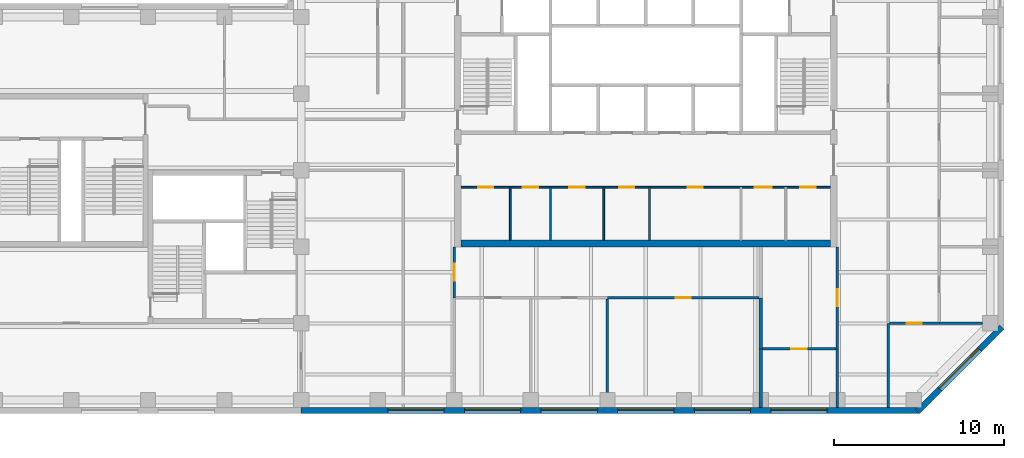
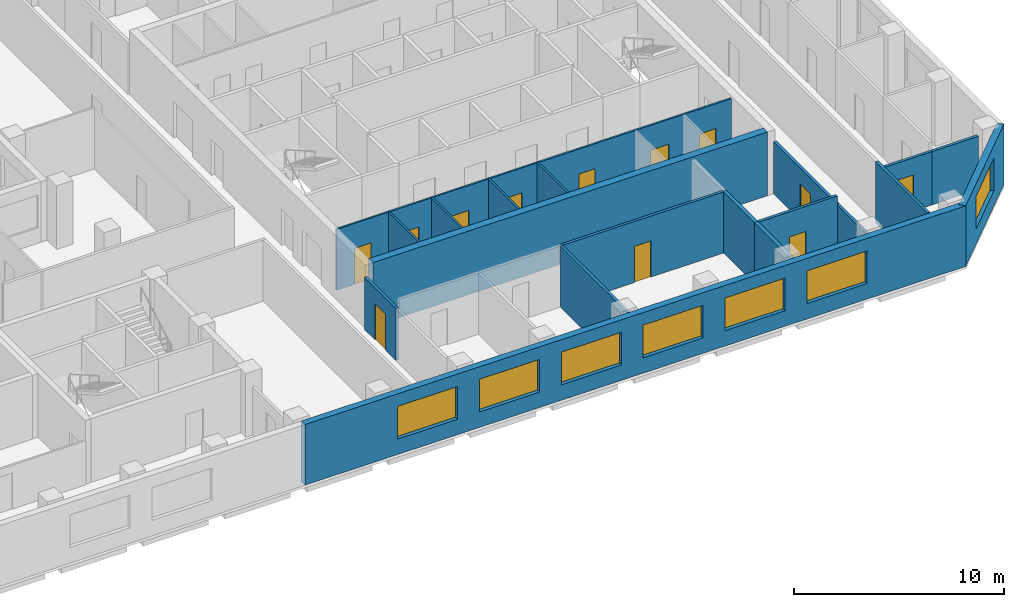
# One storey, part 4 of 9: 19 walls, 12 doors, 7 windows, 19 openings.
"""IFC4 building model written with IfcOpenShell, lengths in metres."""

import ifcopenshell
import ifcopenshell.guid

model = None  # the IFC model being written
_history = None  # IfcOwnerHistory: only IFC2X3 demands one
_inside = {}  # id of a spatial element -> (the spatial element, [elements in it])
_under = {}  # id of a project, library or spatial element -> (it, [spatial elements below it])
_declared = {}  # id of a project -> (the project, [libraries it declares])
_typed = {}  # id of a type object -> (the type object, [elements of that type])
_made_of = {}  # id of a material, layer set ... -> (it, [elements and type objects made of it])


def new_model(schema):
    """Start an empty IFC model of exactly this schema.

    Asked for "IFC4X3", IfcOpenShell would pick the latest addendum, in which some entities
    have other attributes; the version numbers below select the first issue.
    IFC2X3 requires an IfcOwnerHistory on every rooted entity: one is made here for all.
    """
    global model, _history
    if schema == "IFC4X3":
        model = ifcopenshell.file(schema_version=(4, 3, 0, 0))
    else:
        model = ifcopenshell.file(schema=schema)
    _inside.clear()
    _under.clear()
    _declared.clear()
    _typed.clear()
    _made_of.clear()
    _history = None
    if model.schema == "IFC2X3":
        org = make("IfcOrganization", Name="unknown")
        user = make(
            "IfcPersonAndOrganization",
            ThePerson=make("IfcPerson", FamilyName="unknown"),
            TheOrganization=org,
        )
        app = make(
            "IfcApplication",
            ApplicationDeveloper=org,
            Version="unknown",
            ApplicationFullName="unknown",
            ApplicationIdentifier="unknown",
        )
        _history = make(
            "IfcOwnerHistory",
            OwningUser=user,
            OwningApplication=app,
            ChangeAction="ADDED",
            CreationDate=0,
        )
    return model


def make(cls, **values):
    """One entity of the class cls with the attributes given. An attribute that is None is left unset."""
    return model.create_entity(
        cls, **{name: value for name, value in values.items() if value is not None}
    )


def rooted(cls, **values):
    """An entity with a GlobalId (a new one), such as an element, a storey or a relation."""
    return make(cls, GlobalId=ifcopenshell.guid.new(), OwnerHistory=_history, **values)


def si_unit(unit_type, name, prefix=None):
    """IfcSIUnit, for example si_unit("LENGTHUNIT", "METRE", prefix="MILLI")."""
    return make("IfcSIUnit", UnitType=unit_type, Prefix=prefix, Name=name)


def assignment(units):
    """IfcUnitAssignment: the units of a project."""
    return None if units is None else make("IfcUnitAssignment", Units=units)


def point(xyz):
    """IfcCartesianPoint."""
    return None if xyz is None else make("IfcCartesianPoint", Coordinates=xyz)


def direction(xyz):
    """IfcDirection."""
    return None if xyz is None else make("IfcDirection", DirectionRatios=xyz)


def frame(location, z_axis=None, x_axis=None):
    """IfcAxis2Placement3D, a coordinate frame: its origin and axes. An axis left out is left unset."""
    return make(
        "IfcAxis2Placement3D",
        Location=point(location),
        Axis=direction(z_axis),
        RefDirection=direction(x_axis),
    )


def frame_2d(location, x_axis=None):
    """IfcAxis2Placement2D, a coordinate frame in the plane: its origin and x axis."""
    return make(
        "IfcAxis2Placement2D", Location=point(location), RefDirection=direction(x_axis)
    )


def origin():
    """The frame at (0, 0, 0) with its axes left unset."""
    return frame((0.0, 0.0, 0.0))


def place(relative_to, where):
    """IfcLocalPlacement: puts the frame where relative to a parent placement (None: the world)."""
    return make(
        "IfcLocalPlacement", PlacementRelTo=relative_to, RelativePlacement=where
    )


def context(
    kind, dimensions, precision=None, world=None, true_north=None, identifier=None
):
    """IfcGeometricRepresentationContext, for example the 3D "Model" context."""
    return make(
        "IfcGeometricRepresentationContext",
        ContextIdentifier=identifier,
        ContextType=kind,
        CoordinateSpaceDimension=dimensions,
        Precision=precision,
        WorldCoordinateSystem=world,
        TrueNorth=true_north,
    )


def subcontext(parent, identifier, kind, view, scale=None):
    """IfcGeometricRepresentationSubContext, for example "Body" below "Model"."""
    return make(
        "IfcGeometricRepresentationSubContext",
        ContextIdentifier=identifier,
        ContextType=kind,
        ParentContext=parent,
        TargetScale=scale,
        TargetView=view,
    )


def project(units=None, contexts=None):
    """IfcProject with its units and contexts."""
    return rooted(
        "IfcProject",
        Name="project",
        RepresentationContexts=contexts,
        UnitsInContext=assignment(units),
    )


def spatial(cls, under=None, at=None, **own):
    """A site, building, storey or space (cls), placed at a placement, below another one or the project."""
    s = rooted(cls, ObjectPlacement=at, **own)
    if under is not None:
        _under.setdefault(under.id(), (under, []))[1].append(s)
    return s


def profile(cls, at=None, kind="AREA", **sizes):
    """A parametric profile (cls). Its sizes go by their IFC names, for example OverallWidth=200.0."""
    return make(cls, ProfileType=kind, Position=at, **sizes)


def rectangle(**sizes):
    """IfcRectangleProfileDef."""
    return profile("IfcRectangleProfileDef", **sizes)


def extrude(swept, where, along, depth):
    """IfcExtrudedAreaSolid: the profile swept, set in the frame where, extruded along a direction by depth."""
    return make(
        "IfcExtrudedAreaSolid",
        SweptArea=swept,
        Position=where,
        ExtrudedDirection=direction(along),
        Depth=depth,
    )


def shape(context_of_items, identifier, shape_type, items):
    """IfcShapeRepresentation: the items that make up one representation, for example the "Body"."""
    return make(
        "IfcShapeRepresentation",
        ContextOfItems=context_of_items,
        RepresentationIdentifier=identifier,
        RepresentationType=shape_type,
        Items=items,
    )


def material(Name=None, Category=None):
    """IfcMaterial."""
    return make("IfcMaterial", Name=Name, Category=Category)


def layer(
    of_material, thickness, ventilated=None, Name=None, Category=None, Priority=None
):
    """IfcMaterialLayer: one layer of a wall or slab, of a material (None: an air gap)."""
    return make(
        "IfcMaterialLayer",
        Material=of_material,
        LayerThickness=thickness,
        IsVentilated=ventilated,
        Name=Name,
        Category=Category,
        Priority=Priority,
    )


def layer_set(layers, Name=None):
    """IfcMaterialLayerSet."""
    return make("IfcMaterialLayerSet", MaterialLayers=layers, LayerSetName=Name)


def constituent(of_material, Name=None, Category=None, fraction=None):
    """IfcMaterialConstituent: one of the materials an element consists of."""
    return make(
        "IfcMaterialConstituent",
        Name=Name,
        Material=of_material,
        Fraction=fraction,
        Category=Category,
    )


def constituent_set(constituents=None, Name=None):
    """IfcMaterialConstituentSet."""
    return make(
        "IfcMaterialConstituentSet", Name=Name, MaterialConstituents=constituents
    )


def made_of(thing, what):
    """Note that an element or type object is made of a material, layer set ...; save() writes the relation."""
    if what is not None:
        _made_of.setdefault(what.id(), (what, []))[1].append(thing)
    return thing


def type_object(cls, material=None, **own):
    """A type object (cls), such as IfcWallType, which elements share."""
    return made_of(rooted(cls, **own), material)


def element(
    cls,
    number,
    at=None,
    inside=None,
    cuts=None,
    type_object=None,
    material=None,
    context=None,
    identifier="Body",
    shape_type=None,
    held_by="IfcProductDefinitionShape",
    body=None,
    shapes=None,
    **own,
):
    """One element of the class cls, such as IfcWall. Its Tag is "e" and its number.

    at: its placement. inside: the storey or other place that contains it. cuts: it is an
    opening in that element (IfcRelVoidsElement). A single representation is given by context,
    identifier, shape_type and body (its items); several are given by shapes. held_by: the class
    of the entity that holds the representations. save() writes the other relations.
    """
    e = rooted(cls, Tag="e%d" % number, ObjectPlacement=at, **own)
    if body is not None:
        shapes = [shape(context, identifier, shape_type, body)]
    if shapes is not None:
        e.Representation = make(held_by, Representations=shapes)
    if inside is not None:
        _inside.setdefault(inside.id(), (inside, []))[1].append(e)
    if cuts is not None:
        rooted(
            "IfcRelVoidsElement", RelatingBuildingElement=cuts, RelatedOpeningElement=e
        )
    if type_object is not None:
        _typed.setdefault(type_object.id(), (type_object, []))[1].append(e)
    return made_of(e, material)


def fill(opening, filler):
    """IfcRelFillsElement: the door or window that sits in an opening."""
    return rooted(
        "IfcRelFillsElement",
        RelatingOpeningElement=opening,
        RelatedBuildingElement=filler,
    )


def aggregate(whole, parts):
    """IfcRelAggregates: a whole, such as a stair, and the parts it consists of."""
    return rooted("IfcRelAggregates", RelatingObject=whole, RelatedObjects=parts)


def save(model, path):
    """Write the relations noted so far, then the file.

    IfcRelAggregates (storeys below a building ...), IfcRelContainedInSpatialStructure (elements
    in a storey), IfcRelDefinesByType, IfcRelAssociatesMaterial and IfcRelDeclares: one each for
    every whole, place, type object, material and project.
    """
    for whole, parts in _under.values():
        aggregate(whole, parts)
    for where, things in _inside.values():
        rooted(
            "IfcRelContainedInSpatialStructure",
            RelatedElements=things,
            RelatingStructure=where,
        )
    for kind, things in _typed.values():
        rooted("IfcRelDefinesByType", RelatedObjects=things, RelatingType=kind)
    for what, things in _made_of.values():
        rooted("IfcRelAssociatesMaterial", RelatedObjects=things, RelatingMaterial=what)
    for by, libraries in _declared.values():
        rooted("IfcRelDeclares", RelatingContext=by, RelatedDefinitions=libraries)
    model.write(path)


model = new_model("IFC4")

# Units and contexts
model_context = context("Model", 3, precision=1e-05, world=origin(), true_north=direction((0.0, 1.0)))
body_context = subcontext(model_context, "Body", "Model", "MODEL_VIEW")
ifc_project = project(units=[si_unit("LENGTHUNIT", "METRE"), si_unit("AREAUNIT", "SQUARE_METRE"), si_unit("VOLUMEUNIT", "CUBIC_METRE"), si_unit("PLANEANGLEUNIT", "RADIAN"), si_unit("MASSUNIT", "GRAM", prefix="KILO")], contexts=[model_context])

# Site, building, storey
site_placement = place(None, origin())
site = spatial("IfcSite", under=ifc_project, at=site_placement, CompositionType="ELEMENT")
building_placement = place(site_placement, origin())
building = spatial("IfcBuilding", under=site, at=building_placement, Name="Quoin Convention Tower", CompositionType="ELEMENT")
storey_placement = place(building_placement, frame((0.0, 0.0, 181.0)))
storey = spatial("IfcBuildingStorey", under=building, at=storey_placement, Name="L47", CompositionType="ELEMENT", Elevation=181.0)

# Wall, opening, door
ifc_material_1 = material(Name="Plasterboard")
ifc_layer_1 = layer(ifc_material_1, 0.012451171875, Name="Finish")
ifc_material_2 = material(Name="Steel stud framing", Category="steel")
ifc_layer_2 = layer(ifc_material_2, 0.125, Name="Structure")
ifc_layer_3 = layer(ifc_material_1, 0.012451171875, Name="Finish")
ifc_layer_set_1 = layer_set([ifc_layer_1, ifc_layer_2, ifc_layer_3], Name="Steel stud framing")
wall_type_1 = type_object("IfcWallType", Name="Acoustic partition 150", PredefinedType="PARTITIONING", material=ifc_layer_set_1)
wall_1_placement = place(storey_placement, frame((63.10009765625, 43.5, 0.0), z_axis=(0.0, 0.0, 1.0), x_axis=(1.0, 0.0, 0.0)))
wall_1 = element("IfcWall", 1, at=wall_1_placement, inside=storey, type_object=wall_type_1, Name="pw-L47-001", PredefinedType="PARTITIONING", context=body_context, shape_type="SweptSolid", body=[
    extrude(rectangle(XDim=4.324951171875, YDim=0.14990234375, at=frame_2d((2.16259765625, 0.0))), origin(), (0.0, 0.0, 1.0), 3.550048828125),
])
opening_1_placement = place(wall_1_placement, frame((1.699951171875, 0.0, 0.0)))
opening_1 = element("IfcOpeningElement", 2, at=opening_1_placement, cuts=wall_1, Name="Opening DOH5-01", PredefinedType="OPENING", context=body_context, shape_type="SweptSolid", body=[
    extrude(rectangle(XDim=0.89990234375, YDim=2.10009765625, at=frame_2d((0.449951171875, 1.050048828125))), frame((0.0, 0.0849609375, 0.0), z_axis=(0.0, -1.0, 0.0), x_axis=(1.0, 0.0, 0.0)), (0.0, 0.0, 1.0), 0.169921875),
])
ifc_material_3 = material(Name="Steel door leaf", Category="steel")
door_type_1 = type_object("IfcDoorType", Name="Office door 900 x 2100", OperationType="SINGLE_SWING_RIGHT", PredefinedType="DOOR", material=ifc_material_3)
door_1_placement = place(opening_1_placement, frame((0.89990234375, 0.0, 0.0), z_axis=(0.0, 0.0, 1.0), x_axis=(-1.0, 0.0, 0.0)))
door_1 = element("IfcDoor", 3, at=door_1_placement, inside=storey, type_object=door_type_1, Name="dr-L47-12", OperationType="SINGLE_SWING_LEFT", OverallHeight=2.10009765625, OverallWidth=0.89990234375, PredefinedType="DOOR", context=body_context, shape_type="SweptSolid", body=[
    extrude(rectangle(XDim=0.89990234375, YDim=2.10009765625, at=frame_2d((0.449951171875, 1.050048828125))), frame((0.0, 0.02490234375, 0.0), z_axis=(0.0, -1.0, 0.0), x_axis=(1.0, 0.0, 0.0)), (0.0, 0.0, 1.0), 0.050048828125),
])
fill(opening_1, door_1)

wall_2_placement = place(storey_placement, frame((54.0, 46.5, 0.0), z_axis=(0.0, 0.0, 1.0), x_axis=(1.0, 0.0, 0.0)))
wall_2 = element("IfcWall", 4, at=wall_2_placement, inside=storey, type_object=wall_type_1, Name="pw-L47-006", PredefinedType="PARTITIONING", context=body_context, shape_type="SweptSolid", body=[
    extrude(rectangle(XDim=8.89990234375, YDim=0.14990234375, at=frame_2d((4.449951171875, 0.0))), origin(), (0.0, 0.0, 1.0), 3.550048828125),
])
opening_2_placement = place(wall_2_placement, frame((4.0, 0.0, 0.0)))
opening_2 = element("IfcOpeningElement", 5, at=opening_2_placement, cuts=wall_2, Name="Opening DOH5-05", PredefinedType="OPENING", context=body_context, shape_type="SweptSolid", body=[
    extrude(rectangle(XDim=0.89990234375, YDim=2.10009765625, at=frame_2d((0.449951171875, 1.050048828125))), frame((0.0, 0.0849609375, 0.0), z_axis=(0.0, -1.0, 0.0), x_axis=(1.0, 0.0, 0.0)), (0.0, 0.0, 1.0), 0.169921875),
])
door_2_placement = place(opening_2_placement, frame((0.89990234375, 0.0, 0.0), z_axis=(0.0, 0.0, 1.0), x_axis=(-1.0, 0.0, 0.0)))
door_2 = element("IfcDoor", 6, at=door_2_placement, inside=storey, type_object=door_type_1, Name="dr-L47-10", OperationType="SINGLE_SWING_RIGHT", OverallHeight=2.10009765625, OverallWidth=0.89990234375, PredefinedType="DOOR", context=body_context, shape_type="SweptSolid", body=[
    extrude(rectangle(XDim=0.89990234375, YDim=2.10009765625, at=frame_2d((0.449951171875, 1.050048828125))), frame((0.0, 0.02490234375, 0.0), z_axis=(0.0, -1.0, 0.0), x_axis=(1.0, 0.0, 0.0)), (0.0, 0.0, 1.0), 0.050048828125),
])
fill(opening_2, door_2)

# Wall
wall_3_placement = place(storey_placement, frame((54.0, 40.050048828125, 0.0), z_axis=(0.0, 0.0, 1.0), x_axis=(0.0, 1.0, 0.0)))
element("IfcWall", 7, at=wall_3_placement, inside=storey, type_object=wall_type_1, Name="pw-L47-029", PredefinedType="PARTITIONING", context=body_context, shape_type="SweptSolid", body=[
    extrude(rectangle(XDim=6.375, YDim=0.14990234375, at=frame_2d((3.1875, 0.0))), origin(), (0.0, 0.0, 1.0), 3.550048828125),
])

# Wall, opening, door
ifc_layer_4 = layer(ifc_material_1, 0.012451171875, Name="Finish")
ifc_layer_5 = layer(ifc_material_2, 0.125, Name="Structure")
ifc_layer_6 = layer(ifc_material_1, 0.012451171875, Name="Finish")
ifc_layer_set_2 = layer_set([ifc_layer_4, ifc_layer_5, ifc_layer_6], Name="Steel stud framing")
wall_type_2 = type_object("IfcWallType", Name="Acoustic partition 150 under beam 454", PredefinedType="PARTITIONING", material=ifc_layer_set_2)
wall_4_placement = place(storey_placement, frame((70.574951171875, 45.0, 0.0), z_axis=(0.0, 0.0, 1.0), x_axis=(1.0, 0.0, 0.0)))
wall_4 = element("IfcWall", 8, at=wall_4_placement, inside=storey, type_object=wall_type_2, Name="pw-L47-002", PredefinedType="PARTITIONING", context=body_context, shape_type="SweptSolid", body=[
    extrude(rectangle(XDim=2.925048828125, YDim=0.14990234375, at=frame_2d((1.46240234375, 0.0))), origin(), (0.0, 0.0, 1.0), 3.095947265625),
])
opening_3_placement = place(wall_4_placement, frame((1.0, 0.0, 0.0)))
opening_3 = element("IfcOpeningElement", 9, at=opening_3_placement, cuts=wall_4, Name="Opening DOH5-02", PredefinedType="OPENING", context=body_context, shape_type="SweptSolid", body=[
    extrude(rectangle(XDim=0.89990234375, YDim=2.10009765625, at=frame_2d((0.449951171875, 1.050048828125))), frame((0.0, 0.0849609375, 0.0), z_axis=(0.0, -1.0, 0.0), x_axis=(1.0, 0.0, 0.0)), (0.0, 0.0, 1.0), 0.169921875),
])
door_3_placement = place(opening_3_placement, origin())
door_3 = element("IfcDoor", 10, at=door_3_placement, inside=storey, type_object=door_type_1, Name="dr-L47-19", OperationType="SINGLE_SWING_RIGHT", OverallHeight=2.10009765625, OverallWidth=0.89990234375, PredefinedType="DOOR", context=body_context, shape_type="SweptSolid", body=[
    extrude(rectangle(XDim=0.89990234375, YDim=2.10009765625, at=frame_2d((0.449951171875, 1.050048828125))), frame((0.0, 0.02490234375, 0.0), z_axis=(0.0, -1.0, 0.0), x_axis=(1.0, 0.0, 0.0)), (0.0, 0.0, 1.0), 0.050048828125),
])
fill(opening_3, door_3)

# Wall
wall_5_placement = place(storey_placement, frame((73.5, 45.0, 0.0), z_axis=(0.0, 0.0, 1.0), x_axis=(1.0, 0.0, 0.0)))
element("IfcWall", 11, at=wall_5_placement, inside=storey, type_object=wall_type_2, Name="pw-L47-003", PredefinedType="PARTITIONING", context=body_context, shape_type="SweptSolid", body=[
    extrude(rectangle(XDim=2.550048828125, YDim=0.14990234375, at=frame_2d((1.27490234375, 0.0))), origin(), (0.0, 0.0, 1.0), 3.095947265625),
])

# Wall, openings, windows
ifc_material_4 = material(Name="Brick masonry", Category="masonry")
ifc_layer_7 = layer(ifc_material_4, 0.35009765625)
ifc_layer_set_3 = layer_set([ifc_layer_7], Name="Brick masonry")
wall_type_3 = type_object("IfcWallType", Name="Brick facade wall", PredefinedType="STANDARD", material=ifc_layer_set_3)
wall_6_placement = place(storey_placement, frame((36.0, 39.875, 0.0), z_axis=(0.0, 0.0, 1.0), x_axis=(1.0, 0.0, 0.0)))
wall_6 = element("IfcWall", 12, at=wall_6_placement, inside=storey, type_object=wall_type_3, Name="fw-L47-36000_40500", PredefinedType="STANDARD", context=body_context, shape_type="SweptSolid", body=[
    extrude(rectangle(XDim=36.331298828125, YDim=0.35009765625, at=frame_2d((18.16552734375, 0.0))), origin(), (0.0, 0.0, 1.0), 3.52490234375),
])
opening_4_placement = place(wall_6_placement, frame((5.10009765625, 0.0, 0.89990234375)))
opening_4 = element("IfcOpeningElement", 13, at=opening_4_placement, cuts=wall_6, Name="Opening W-02", PredefinedType="OPENING", context=body_context, shape_type="SweptSolid", body=[
    extrude(rectangle(XDim=3.300048828125, YDim=1.89990234375, at=frame_2d((1.64990234375, 0.949951171875))), frame((0.0, 0.18505859375, 0.0), z_axis=(0.0, -1.0, 0.0), x_axis=(1.0, 0.0, 0.0)), (0.0, 0.0, 1.0), 0.3701171875),
])
opening_5_placement = place(wall_6_placement, frame((9.60009765625, 0.0, 0.89990234375)))
opening_5 = element("IfcOpeningElement", 14, at=opening_5_placement, cuts=wall_6, Name="Opening W-02", PredefinedType="OPENING", context=body_context, shape_type="SweptSolid", body=[
    extrude(rectangle(XDim=3.300048828125, YDim=1.89990234375, at=frame_2d((1.64990234375, 0.949951171875))), frame((0.0, 0.18505859375, 0.0), z_axis=(0.0, -1.0, 0.0), x_axis=(1.0, 0.0, 0.0)), (0.0, 0.0, 1.0), 0.3701171875),
])
opening_6_placement = place(wall_6_placement, frame((14.10009765625, 0.0, 0.89990234375)))
opening_6 = element("IfcOpeningElement", 15, at=opening_6_placement, cuts=wall_6, Name="Opening W-02", PredefinedType="OPENING", context=body_context, shape_type="SweptSolid", body=[
    extrude(rectangle(XDim=3.300048828125, YDim=1.89990234375, at=frame_2d((1.64990234375, 0.949951171875))), frame((0.0, 0.18505859375, 0.0), z_axis=(0.0, -1.0, 0.0), x_axis=(1.0, 0.0, 0.0)), (0.0, 0.0, 1.0), 0.3701171875),
])
opening_7_placement = place(wall_6_placement, frame((18.60009765625, 0.0, 0.89990234375)))
opening_7 = element("IfcOpeningElement", 16, at=opening_7_placement, cuts=wall_6, Name="Opening W-02", PredefinedType="OPENING", context=body_context, shape_type="SweptSolid", body=[
    extrude(rectangle(XDim=3.300048828125, YDim=1.89990234375, at=frame_2d((1.64990234375, 0.949951171875))), frame((0.0, 0.18505859375, 0.0), z_axis=(0.0, -1.0, 0.0), x_axis=(1.0, 0.0, 0.0)), (0.0, 0.0, 1.0), 0.3701171875),
])
opening_8_placement = place(wall_6_placement, frame((23.10009765625, 0.0, 0.89990234375)))
opening_8 = element("IfcOpeningElement", 17, at=opening_8_placement, cuts=wall_6, Name="Opening W-02", PredefinedType="OPENING", context=body_context, shape_type="SweptSolid", body=[
    extrude(rectangle(XDim=3.300048828125, YDim=1.89990234375, at=frame_2d((1.64990234375, 0.949951171875))), frame((0.0, 0.18505859375, 0.0), z_axis=(0.0, -1.0, 0.0), x_axis=(1.0, 0.0, 0.0)), (0.0, 0.0, 1.0), 0.3701171875),
])
opening_9_placement = place(wall_6_placement, frame((27.60009765625, 0.0, 0.89990234375)))
opening_9 = element("IfcOpeningElement", 18, at=opening_9_placement, cuts=wall_6, Name="Opening W-02", PredefinedType="OPENING", context=body_context, shape_type="SweptSolid", body=[
    extrude(rectangle(XDim=3.300048828125, YDim=1.89990234375, at=frame_2d((1.64990234375, 0.949951171875))), frame((0.0, 0.18505859375, 0.0), z_axis=(0.0, -1.0, 0.0), x_axis=(1.0, 0.0, 0.0)), (0.0, 0.0, 1.0), 0.3701171875),
])
ifc_material_5 = material(Name="Aluminium", Category="aluminium")
ifc_constituent_1 = constituent(ifc_material_5, Name="Frame")
ifc_material_6 = material(Name="Insulated glass", Category="glass")
ifc_constituent_2 = constituent(ifc_material_6, Name="Glazing")
ifc_constituent_set = constituent_set(constituents=[ifc_constituent_1, ifc_constituent_2], Name="Aluminium")
window_type = type_object("IfcWindowType", Name="Office window", PartitioningType="DOUBLE_PANEL_VERTICAL", PredefinedType="WINDOW", material=ifc_constituent_set)
window_1_placement = place(opening_4_placement, origin())
window_1 = element("IfcWindow", 19, at=window_1_placement, inside=storey, type_object=window_type, Name="win-L47-42750_39875", OverallHeight=1.89990234375, OverallWidth=3.300048828125, PartitioningType="SINGLE_PANEL", PredefinedType="WINDOW", context=body_context, shape_type="SweptSolid", body=[
    extrude(rectangle(XDim=3.300048828125, YDim=1.89990234375, at=frame_2d((1.64990234375, 0.949951171875))), frame((0.0, 0.0849609375, 0.0), z_axis=(0.0, -1.0, 0.0), x_axis=(1.0, 0.0, 0.0)), (0.0, 0.0, 1.0), 0.06005859375),
])
fill(opening_4, window_1)
window_2_placement = place(opening_5_placement, origin())
window_2 = element("IfcWindow", 20, at=window_2_placement, inside=storey, type_object=window_type, Name="win-L47-47250_39875", OverallHeight=1.89990234375, OverallWidth=3.300048828125, PartitioningType="SINGLE_PANEL", PredefinedType="WINDOW", context=body_context, shape_type="SweptSolid", body=[
    extrude(rectangle(XDim=3.300048828125, YDim=1.89990234375, at=frame_2d((1.64990234375, 0.949951171875))), frame((0.0, 0.0849609375, 0.0), z_axis=(0.0, -1.0, 0.0), x_axis=(1.0, 0.0, 0.0)), (0.0, 0.0, 1.0), 0.06005859375),
])
fill(opening_5, window_2)
window_3_placement = place(opening_6_placement, origin())
window_3 = element("IfcWindow", 21, at=window_3_placement, inside=storey, type_object=window_type, Name="win-L47-51750_39875", OverallHeight=1.89990234375, OverallWidth=3.300048828125, PartitioningType="SINGLE_PANEL", PredefinedType="WINDOW", context=body_context, shape_type="SweptSolid", body=[
    extrude(rectangle(XDim=3.300048828125, YDim=1.89990234375, at=frame_2d((1.64990234375, 0.949951171875))), frame((0.0, 0.0849609375, 0.0), z_axis=(0.0, -1.0, 0.0), x_axis=(1.0, 0.0, 0.0)), (0.0, 0.0, 1.0), 0.06005859375),
])
fill(opening_6, window_3)
window_4_placement = place(opening_7_placement, origin())
window_4 = element("IfcWindow", 22, at=window_4_placement, inside=storey, type_object=window_type, Name="win-L47-56250_39875", OverallHeight=1.89990234375, OverallWidth=3.300048828125, PartitioningType="SINGLE_PANEL", PredefinedType="WINDOW", context=body_context, shape_type="SweptSolid", body=[
    extrude(rectangle(XDim=3.300048828125, YDim=1.89990234375, at=frame_2d((1.64990234375, 0.949951171875))), frame((0.0, 0.0849609375, 0.0), z_axis=(0.0, -1.0, 0.0), x_axis=(1.0, 0.0, 0.0)), (0.0, 0.0, 1.0), 0.06005859375),
])
fill(opening_7, window_4)
window_5_placement = place(opening_8_placement, origin())
window_5 = element("IfcWindow", 23, at=window_5_placement, inside=storey, type_object=window_type, Name="win-L47-60750_39875", OverallHeight=1.89990234375, OverallWidth=3.300048828125, PartitioningType="SINGLE_PANEL", PredefinedType="WINDOW", context=body_context, shape_type="SweptSolid", body=[
    extrude(rectangle(XDim=3.300048828125, YDim=1.89990234375, at=frame_2d((1.64990234375, 0.949951171875))), frame((0.0, 0.0849609375, 0.0), z_axis=(0.0, -1.0, 0.0), x_axis=(1.0, 0.0, 0.0)), (0.0, 0.0, 1.0), 0.06005859375),
])
fill(opening_8, window_5)
window_6_placement = place(opening_9_placement, origin())
window_6 = element("IfcWindow", 24, at=window_6_placement, inside=storey, type_object=window_type, Name="win-L47-65250_39875", OverallHeight=1.89990234375, OverallWidth=3.300048828125, PartitioningType="SINGLE_PANEL", PredefinedType="WINDOW", context=body_context, shape_type="SweptSolid", body=[
    extrude(rectangle(XDim=3.300048828125, YDim=1.89990234375, at=frame_2d((1.64990234375, 0.949951171875))), frame((0.0, 0.0849609375, 0.0), z_axis=(0.0, -1.0, 0.0), x_axis=(1.0, 0.0, 0.0)), (0.0, 0.0, 1.0), 0.06005859375),
])
fill(opening_9, window_6)

# Wall, opening, window
wall_7_placement = place(storey_placement, frame((72.20751953125, 39.82373046875, 0.0), z_axis=(0.0, 0.0, 1.0), x_axis=(0.707106781187, 0.707106781187, 0.0)))
wall_7 = element("IfcWall", 25, at=wall_7_placement, inside=storey, type_object=wall_type_3, Name="fw-L47-72000_40500", PredefinedType="STANDARD", context=body_context, shape_type="SweptSolid", body=[
    extrude(rectangle(XDim=7.02685546875, YDim=0.35009765625, at=frame_2d((3.513427734375, 0.0))), origin(), (0.0, 0.0, 1.0), 3.52490234375),
])
opening_10_placement = place(wall_7_placement, frame((1.86328125, 0.0, 0.89990234375)))
opening_10 = element("IfcOpeningElement", 26, at=opening_10_placement, cuts=wall_7, Name="Opening W-02", PredefinedType="OPENING", context=body_context, shape_type="SweptSolid", body=[
    extrude(rectangle(XDim=3.300048828125, YDim=1.89990234375, at=frame_2d((1.64990234375, 0.949951171875))), frame((0.0, 0.18505859375, 0.0), z_axis=(0.0, -1.0, 0.0), x_axis=(1.0, 0.0, 0.0)), (0.0, 0.0, 1.0), 0.3701171875),
])
window_7_placement = place(opening_10_placement, origin())
window_7 = element("IfcWindow", 27, at=window_7_placement, inside=storey, type_object=window_type, Name="win-L47-74692_42308", OverallHeight=1.89990234375, OverallWidth=3.300048828125, PartitioningType="SINGLE_PANEL", PredefinedType="WINDOW", context=body_context, shape_type="SweptSolid", body=[
    extrude(rectangle(XDim=3.300048828125, YDim=1.89990234375, at=frame_2d((1.64990234375, 0.949951171875))), frame((0.0, 0.0849609375, 0.0), z_axis=(0.0, -1.0, 0.0), x_axis=(1.0, 0.0, 0.0)), (0.0, 0.0, 1.0), 0.06005859375),
])
fill(opening_10, window_7)

# Wall, openings, doors
ifc_layer_8 = layer(ifc_material_1, 0.012451171875, Name="Finish")
ifc_layer_9 = layer(ifc_material_2, 0.074951171875, Name="Structure")
ifc_layer_10 = layer(ifc_material_1, 0.012451171875, Name="Finish")
ifc_layer_set_4 = layer_set([ifc_layer_8, ifc_layer_9, ifc_layer_10], Name="Steel stud framing")
wall_type_4 = type_object("IfcWallType", Name="Core partition wall", PredefinedType="PARTITIONING", material=ifc_layer_set_4)
wall_8_placement = place(storey_placement, frame((45.39990234375, 53.0, 0.0), z_axis=(0.0, 0.0, 1.0), x_axis=(1.0, 0.0, 0.0)))
wall_8 = element("IfcWall", 28, at=wall_8_placement, inside=storey, type_object=wall_type_4, Name="cr-C1-L47-h3500_400", PredefinedType="PARTITIONING", context=body_context, shape_type="SweptSolid", body=[
    extrude(rectangle(XDim=21.7001953125, YDim=0.10009765625, at=frame_2d((10.85009765625, 0.0))), origin(), (0.0, 0.0, 1.0), 3.550048828125),
])
opening_11_placement = place(wall_8_placement, frame((19.9375, 0.0, 0.0)))
opening_11 = element("IfcOpeningElement", 29, at=opening_11_placement, cuts=wall_8, Name="Opening DCV4-33", PredefinedType="OPENING", context=body_context, shape_type="SweptSolid", body=[
    extrude(rectangle(XDim=0.89990234375, YDim=2.10009765625, at=frame_2d((0.449951171875, 1.050048828125))), frame((0.0, 0.06005859375, 0.0), z_axis=(0.0, -1.0, 0.0), x_axis=(1.0, 0.0, 0.0)), (0.0, 0.0, 1.0), 0.1201171875),
])
opening_12_placement = place(wall_8_placement, frame((17.262451171875, 0.0, 0.0)))
opening_12 = element("IfcOpeningElement", 30, at=opening_12_placement, cuts=wall_8, Name="Opening DCV4-32", PredefinedType="OPENING", context=body_context, shape_type="SweptSolid", body=[
    extrude(rectangle(XDim=1.0, YDim=2.10009765625, at=frame_2d((0.5, 1.050048828125))), frame((0.0, 0.06005859375, 0.0), z_axis=(0.0, -1.0, 0.0), x_axis=(1.0, 0.0, 0.0)), (0.0, 0.0, 1.0), 0.1201171875),
])
opening_13_placement = place(wall_8_placement, frame((0.993896484375, 0.0, 0.0)))
opening_13 = element("IfcOpeningElement", 31, at=opening_13_placement, cuts=wall_8, Name="Opening DCV4-25", PredefinedType="OPENING", context=body_context, shape_type="SweptSolid", body=[
    extrude(rectangle(XDim=0.89990234375, YDim=2.10009765625, at=frame_2d((0.449951171875, 1.050048828125))), frame((0.0, 0.06005859375, 0.0), z_axis=(0.0, -1.0, 0.0), x_axis=(1.0, 0.0, 0.0)), (0.0, 0.0, 1.0), 0.1201171875),
])
opening_14_placement = place(wall_8_placement, frame((3.618896484375, 0.0, 0.0)))
opening_14 = element("IfcOpeningElement", 32, at=opening_14_placement, cuts=wall_8, Name="Opening DCV4-26", PredefinedType="OPENING", context=body_context, shape_type="SweptSolid", body=[
    extrude(rectangle(XDim=0.89990234375, YDim=2.10009765625, at=frame_2d((0.449951171875, 1.050048828125))), frame((0.0, 0.06005859375, 0.0), z_axis=(0.0, -1.0, 0.0), x_axis=(1.0, 0.0, 0.0)), (0.0, 0.0, 1.0), 0.1201171875),
])
opening_15_placement = place(wall_8_placement, frame((6.367919921875, 0.0, 0.0)))
opening_15 = element("IfcOpeningElement", 33, at=opening_15_placement, cuts=wall_8, Name="Opening DCV4-27", PredefinedType="OPENING", context=body_context, shape_type="SweptSolid", body=[
    extrude(rectangle(XDim=0.89990234375, YDim=2.10009765625, at=frame_2d((0.449951171875, 1.050048828125))), frame((0.0, 0.06005859375, 0.0), z_axis=(0.0, -1.0, 0.0), x_axis=(1.0, 0.0, 0.0)), (0.0, 0.0, 1.0), 0.1201171875),
])
opening_16_placement = place(wall_8_placement, frame((9.280029296875, 0.0, 0.0)))
opening_16 = element("IfcOpeningElement", 34, at=opening_16_placement, cuts=wall_8, Name="Opening DCV4-29", PredefinedType="OPENING", context=body_context, shape_type="SweptSolid", body=[
    extrude(rectangle(XDim=0.89990234375, YDim=2.10009765625, at=frame_2d((0.449951171875, 1.050048828125))), frame((0.0, 0.06005859375, 0.0), z_axis=(0.0, -1.0, 0.0), x_axis=(1.0, 0.0, 0.0)), (0.0, 0.0, 1.0), 0.1201171875),
])
opening_17_placement = place(wall_8_placement, frame((13.31201171875, 0.0, 0.0)))
opening_17 = element("IfcOpeningElement", 35, at=opening_17_placement, cuts=wall_8, Name="Opening DCV4-30", PredefinedType="OPENING", context=body_context, shape_type="SweptSolid", body=[
    extrude(rectangle(XDim=0.89990234375, YDim=2.10009765625, at=frame_2d((0.449951171875, 1.050048828125))), frame((0.0, 0.06005859375, 0.0), z_axis=(0.0, -1.0, 0.0), x_axis=(1.0, 0.0, 0.0)), (0.0, 0.0, 1.0), 0.1201171875),
])
door_type_2 = type_object("IfcDoorType", Name="Core room door 1000 x 2100", OperationType="SINGLE_SWING_LEFT", PredefinedType="DOOR", material=ifc_material_3)
door_4_placement = place(opening_12_placement, frame((1.0, 0.0, 0.0), z_axis=(0.0, 0.0, 1.0), x_axis=(-1.0, 0.0, 0.0)))
door_4 = element("IfcDoor", 36, at=door_4_placement, inside=storey, type_object=door_type_2, Name="cd-C1-L47-CSE1-lobA-CD4713", OperationType="SINGLE_SWING_LEFT", OverallHeight=2.10009765625, OverallWidth=1.0, PredefinedType="DOOR", context=body_context, shape_type="SweptSolid", body=[
    extrude(rectangle(XDim=1.0, YDim=2.10009765625, at=frame_2d((0.5, 1.050048828125))), frame((0.0, 0.02490234375, 0.0), z_axis=(0.0, -1.0, 0.0), x_axis=(1.0, 0.0, 0.0)), (0.0, 0.0, 1.0), 0.050048828125),
])
fill(opening_12, door_4)
door_type_3 = type_object("IfcDoorType", Name="Core room door 900 x 2100", OperationType="SINGLE_SWING_LEFT", PredefinedType="DOOR", material=ifc_material_3)
door_5_placement = place(opening_11_placement, frame((0.89990234375, 0.0, 0.0), z_axis=(0.0, 0.0, 1.0), x_axis=(-1.0, 0.0, 0.0)))
door_5 = element("IfcDoor", 37, at=door_5_placement, inside=storey, type_object=door_type_3, Name="cd-C1-L47-CSE0-lobA-CD4712", OperationType="SINGLE_SWING_LEFT", OverallHeight=2.10009765625, OverallWidth=0.89990234375, PredefinedType="DOOR", context=body_context, shape_type="SweptSolid", body=[
    extrude(rectangle(XDim=0.89990234375, YDim=2.10009765625, at=frame_2d((0.449951171875, 1.050048828125))), frame((0.0, 0.02490234375, 0.0), z_axis=(0.0, -1.0, 0.0), x_axis=(1.0, 0.0, 0.0)), (0.0, 0.0, 1.0), 0.050048828125),
])
fill(opening_11, door_5)
door_6_placement = place(opening_13_placement, frame((0.89990234375, 0.0, 0.0), z_axis=(0.0, 0.0, 1.0), x_axis=(-1.0, 0.0, 0.0)))
door_6 = element("IfcDoor", 38, at=door_6_placement, inside=storey, type_object=door_type_3, Name="cd-C1-L47-CSW0-lobA-CD4714", OperationType="SINGLE_SWING_LEFT", OverallHeight=2.10009765625, OverallWidth=0.89990234375, PredefinedType="DOOR", context=body_context, shape_type="SweptSolid", body=[
    extrude(rectangle(XDim=0.89990234375, YDim=2.10009765625, at=frame_2d((0.449951171875, 1.050048828125))), frame((0.0, 0.02490234375, 0.0), z_axis=(0.0, -1.0, 0.0), x_axis=(1.0, 0.0, 0.0)), (0.0, 0.0, 1.0), 0.050048828125),
])
fill(opening_13, door_6)
door_7_placement = place(opening_14_placement, frame((0.89990234375, 0.0, 0.0), z_axis=(0.0, 0.0, 1.0), x_axis=(-1.0, 0.0, 0.0)))
door_7 = element("IfcDoor", 39, at=door_7_placement, inside=storey, type_object=door_type_3, Name="cd-C1-L47-CSW1-lobA-CD4715", OperationType="SINGLE_SWING_LEFT", OverallHeight=2.10009765625, OverallWidth=0.89990234375, PredefinedType="DOOR", context=body_context, shape_type="SweptSolid", body=[
    extrude(rectangle(XDim=0.89990234375, YDim=2.10009765625, at=frame_2d((0.449951171875, 1.050048828125))), frame((0.0, 0.02490234375, 0.0), z_axis=(0.0, -1.0, 0.0), x_axis=(1.0, 0.0, 0.0)), (0.0, 0.0, 1.0), 0.050048828125),
])
fill(opening_14, door_7)
door_8_placement = place(opening_15_placement, frame((0.89990234375, 0.0, 0.0), z_axis=(0.0, 0.0, 1.0), x_axis=(-1.0, 0.0, 0.0)))
door_8 = element("IfcDoor", 40, at=door_8_placement, inside=storey, type_object=door_type_3, Name="cd-C1-L47-F10-lobA-CD4716", OperationType="SINGLE_SWING_LEFT", OverallHeight=2.10009765625, OverallWidth=0.89990234375, PredefinedType="DOOR", context=body_context, shape_type="SweptSolid", body=[
    extrude(rectangle(XDim=0.89990234375, YDim=2.10009765625, at=frame_2d((0.449951171875, 1.050048828125))), frame((0.0, 0.02490234375, 0.0), z_axis=(0.0, -1.0, 0.0), x_axis=(1.0, 0.0, 0.0)), (0.0, 0.0, 1.0), 0.050048828125),
])
fill(opening_15, door_8)
door_9_placement = place(opening_16_placement, frame((0.89990234375, 0.0, 0.0), z_axis=(0.0, 0.0, 1.0), x_axis=(-1.0, 0.0, 0.0)))
door_9 = element("IfcDoor", 41, at=door_9_placement, inside=storey, type_object=door_type_3, Name="cd-C1-L47-F11-lobA-CD4717", OperationType="SINGLE_SWING_LEFT", OverallHeight=2.10009765625, OverallWidth=0.89990234375, PredefinedType="DOOR", context=body_context, shape_type="SweptSolid", body=[
    extrude(rectangle(XDim=0.89990234375, YDim=2.10009765625, at=frame_2d((0.449951171875, 1.050048828125))), frame((0.0, 0.02490234375, 0.0), z_axis=(0.0, -1.0, 0.0), x_axis=(1.0, 0.0, 0.0)), (0.0, 0.0, 1.0), 0.050048828125),
])
fill(opening_16, door_9)
door_10_placement = place(opening_17_placement, frame((0.89990234375, 0.0, 0.0), z_axis=(0.0, 0.0, 1.0), x_axis=(-1.0, 0.0, 0.0)))
door_10 = element("IfcDoor", 42, at=door_10_placement, inside=storey, type_object=door_type_3, Name="cd-C1-L47-F12-lobA-CD4718", OperationType="SINGLE_SWING_LEFT", OverallHeight=2.10009765625, OverallWidth=0.89990234375, PredefinedType="DOOR", context=body_context, shape_type="SweptSolid", body=[
    extrude(rectangle(XDim=0.89990234375, YDim=2.10009765625, at=frame_2d((0.449951171875, 1.050048828125))), frame((0.0, 0.02490234375, 0.0), z_axis=(0.0, -1.0, 0.0), x_axis=(1.0, 0.0, 0.0)), (0.0, 0.0, 1.0), 0.050048828125),
])
fill(opening_17, door_10)

# Walls
for number, where, z_axis, x_axis, name in (
    (43, (48.28759765625, 49.89990234375, 0.0), (0.0, 0.0, 1.0), (0.0, 1.0, 0.0), "cr-C1-L47-v3288_400"),
    (44, (50.64990234375, 49.89990234375, 0.0), (0.0, 0.0, 1.0), (0.0, 1.0, 0.0), "cr-C1-L47-v5650_400"),
    (45, (53.785888671875, 49.89990234375, 0.0), (0.0, 0.0, 1.0), (0.0, 1.0, 0.0), "cr-C1-L47-v8786_400"),
    (46, (56.47412109375, 49.89990234375, 0.0), (0.0, 0.0, 1.0), (0.0, 1.0, 0.0), "cr-C1-L47-v11474_400"),
):
    element("IfcWall", number, at=place(storey_placement, frame(where, z_axis=z_axis, x_axis=x_axis)), inside=storey, type_object=wall_type_4, Name=name, PredefinedType="PARTITIONING", context=body_context, shape_type="SweptSolid", body=[
        extrude(rectangle(XDim=3.10009765625, YDim=0.10009765625, at=frame_2d((1.550048828125, 0.0))), origin(), (0.0, 0.0, 1.0), 3.550048828125),
    ])
ifc_layer_11 = layer(ifc_material_1, 0.012451171875, Name="Finish")
ifc_layer_12 = layer(ifc_material_2, 0.125, Name="Structure")
ifc_layer_13 = layer(ifc_material_1, 0.012451171875, Name="Finish")
ifc_layer_set_5 = layer_set([ifc_layer_11, ifc_layer_12, ifc_layer_13], Name="Steel stud framing")
wall_type_5 = type_object("IfcWallType", Name="Corridor wall 150", PredefinedType="PARTITIONING", material=ifc_layer_set_5)
wall_9_placement = place(storey_placement, frame((70.5, 40.050048828125, 0.0), z_axis=(0.0, 0.0, 1.0), x_axis=(0.0, 1.0, 0.0)))
element("IfcWall", 47, at=wall_9_placement, inside=storey, type_object=wall_type_5, Name="pw-L47-032", PredefinedType="PARTITIONING", context=body_context, shape_type="SweptSolid", body=[
    extrude(rectangle(XDim=4.949951171875, YDim=0.14990234375, at=frame_2d((2.47509765625, 0.0))), origin(), (0.0, 0.0, 1.0), 3.550048828125),
])
ifc_layer_14 = layer(ifc_material_1, 0.012451171875, Name="Finish")
ifc_layer_15 = layer(ifc_material_2, 0.125, Name="Structure")
ifc_layer_16 = layer(ifc_material_1, 0.012451171875, Name="Finish")
ifc_layer_set_6 = layer_set([ifc_layer_14, ifc_layer_15, ifc_layer_16], Name="Steel stud framing")
wall_type_6 = type_object("IfcWallType", Name="Corridor wall 150 under beam 528", PredefinedType="PARTITIONING", material=ifc_layer_set_6)
wall_10_placement = place(storey_placement, frame((67.5, 40.050048828125, 0.0), z_axis=(0.0, 0.0, 1.0), x_axis=(0.0, 1.0, 0.0)))
element("IfcWall", 48, at=wall_10_placement, inside=storey, type_object=wall_type_6, Name="pw-L47-031", PredefinedType="PARTITIONING", context=body_context, shape_type="SweptSolid", body=[
    extrude(rectangle(XDim=3.449951171875, YDim=0.14990234375, at=frame_2d((1.72509765625, 0.0))), origin(), (0.0, 0.0, 1.0), 3.02197265625),
])

# Wall, opening, door
wall_11_placement = place(storey_placement, frame((67.5, 43.5, 0.0), z_axis=(0.0, 0.0, 1.0), x_axis=(0.0, 1.0, 0.0)))
wall_11 = element("IfcWall", 49, at=wall_11_placement, inside=storey, type_object=wall_type_6, Name="pw-L47-035", PredefinedType="PARTITIONING", context=body_context, shape_type="SweptSolid", body=[
    extrude(rectangle(XDim=6.0, YDim=0.14990234375, at=frame_2d((3.0, 0.0))), origin(), (0.0, 0.0, 1.0), 3.02197265625),
])
opening_18_placement = place(wall_11_placement, frame((2.5, 0.0, 0.0)))
opening_18 = element("IfcOpeningElement", 50, at=opening_18_placement, cuts=wall_11, Name="Opening DOH5-11", PredefinedType="OPENING", context=body_context, shape_type="SweptSolid", body=[
    extrude(rectangle(XDim=1.0, YDim=2.10009765625, at=frame_2d((0.5, 1.050048828125))), frame((0.0, 0.0849609375, 0.0), z_axis=(0.0, -1.0, 0.0), x_axis=(1.0, 0.0, 0.0)), (0.0, 0.0, 1.0), 0.169921875),
])
door_type_4 = type_object("IfcDoorType", Name="Tenancy entrance door 1000 x 2100", OperationType="DOUBLE_DOOR_SINGLE_SWING", PredefinedType="DOOR", material=ifc_material_3)
door_11_placement = place(opening_18_placement, frame((1.0, 0.0, 0.0), z_axis=(0.0, 0.0, 1.0), x_axis=(-1.0, 0.0, 0.0)))
door_11 = element("IfcDoor", 51, at=door_11_placement, inside=storey, type_object=door_type_4, Name="dr-L47-11", OperationType="DOUBLE_DOOR_SINGLE_SWING", OverallHeight=2.10009765625, OverallWidth=1.0, PredefinedType="DOOR", context=body_context, shape_type="SweptSolid", body=[
    extrude(rectangle(XDim=1.0, YDim=2.10009765625, at=frame_2d((0.5, 1.050048828125))), frame((0.0, 0.02490234375, 0.0), z_axis=(0.0, -1.0, 0.0), x_axis=(1.0, 0.0, 0.0)), (0.0, 0.0, 1.0), 0.050048828125),
])
fill(opening_18, door_11)

wall_12_placement = place(storey_placement, frame((45.0, 46.5, 0.0), z_axis=(0.0, 0.0, 1.0), x_axis=(0.0, 1.0, 0.0)))
wall_12 = element("IfcWall", 52, at=wall_12_placement, inside=storey, type_object=wall_type_6, Name="pw-L47-038", PredefinedType="PARTITIONING", context=body_context, shape_type="SweptSolid", body=[
    extrude(rectangle(XDim=3.0, YDim=0.14990234375, at=frame_2d((1.5, 0.0))), origin(), (0.0, 0.0, 1.0), 3.02197265625),
])
opening_19_placement = place(wall_12_placement, frame((1.0, 0.0, 0.0)))
opening_19 = element("IfcOpeningElement", 53, at=opening_19_placement, cuts=wall_12, Name="Opening DOH5-14", PredefinedType="OPENING", context=body_context, shape_type="SweptSolid", body=[
    extrude(rectangle(XDim=1.0, YDim=2.10009765625, at=frame_2d((0.5, 1.050048828125))), frame((0.0, 0.0849609375, 0.0), z_axis=(0.0, -1.0, 0.0), x_axis=(1.0, 0.0, 0.0)), (0.0, 0.0, 1.0), 0.169921875),
])
door_12_placement = place(opening_19_placement, origin())
door_12 = element("IfcDoor", 54, at=door_12_placement, inside=storey, type_object=door_type_4, Name="dr-L47-07", OperationType="DOUBLE_DOOR_SINGLE_SWING", OverallHeight=2.10009765625, OverallWidth=1.0, PredefinedType="DOOR", context=body_context, shape_type="SweptSolid", body=[
    extrude(rectangle(XDim=1.0, YDim=2.10009765625, at=frame_2d((0.5, 1.050048828125))), frame((0.0, 0.02490234375, 0.0), z_axis=(0.0, -1.0, 0.0), x_axis=(1.0, 0.0, 0.0)), (0.0, 0.0, 1.0), 0.050048828125),
])
fill(opening_19, door_12)

# Walls
ifc_material_7 = material(Name="Concrete C50", Category="concrete")
ifc_layer_17 = layer(ifc_material_7, 0.39990234375)
ifc_layer_set_7 = layer_set([ifc_layer_17], Name="Concrete C50")
wall_type_7 = type_object("IfcWallType", Name="RC CORE WALL 400 C50", PredefinedType="SHEAR", material=ifc_layer_set_7)
wall_13_placement = place(storey_placement, frame((45.39990234375, 49.699951171875, 0.0), z_axis=(0.0, 0.0, 1.0), x_axis=(1.0, 0.0, 0.0)))
element("IfcWall", 55, at=wall_13_placement, inside=storey, type_object=wall_type_7, Name="cwl-C1-L47-S", PredefinedType="SHEAR", context=body_context, shape_type="SweptSolid", body=[
    extrude(rectangle(XDim=21.7001953125, YDim=0.39990234375, at=frame_2d((10.85009765625, 0.0))), origin(), (0.0, 0.0, 1.0), 3.699951171875),
])
ifc_layer_18 = layer(ifc_material_1, 0.012451171875, Name="Finish")
ifc_layer_19 = layer(ifc_material_2, 0.175048828125, Name="Structure")
ifc_layer_20 = layer(ifc_material_1, 0.012451171875, Name="Finish")
ifc_layer_set_8 = layer_set([ifc_layer_18, ifc_layer_19, ifc_layer_20], Name="Steel stud framing")
wall_type_8 = type_object("IfcWallType", Name="Tenancy demising wall 200", PredefinedType="PARTITIONING", material=ifc_layer_set_8)
wall_14_placement = place(storey_placement, frame((63.0, 40.050048828125, 0.0), z_axis=(0.0, 0.0, 1.0), x_axis=(0.0, 1.0, 0.0)))
element("IfcWall", 56, at=wall_14_placement, inside=storey, type_object=wall_type_8, Name="pw-L47-030", PredefinedType="PARTITIONING", context=body_context, shape_type="SweptSolid", body=[
    extrude(rectangle(XDim=3.449951171875, YDim=0.199951171875, at=frame_2d((1.72509765625, 0.0))), origin(), (0.0, 0.0, 1.0), 3.550048828125),
])
wall_15_placement = place(storey_placement, frame((63.0, 43.5, 0.0), z_axis=(0.0, 0.0, 1.0), x_axis=(0.0, 1.0, 0.0)))
element("IfcWall", 57, at=wall_15_placement, inside=storey, type_object=wall_type_8, Name="pw-L47-034", PredefinedType="PARTITIONING", context=body_context, shape_type="SweptSolid", body=[
    extrude(rectangle(XDim=3.0, YDim=0.199951171875, at=frame_2d((1.5, 0.0))), origin(), (0.0, 0.0, 1.0), 3.550048828125),
])

save(model, "model.ifc")
